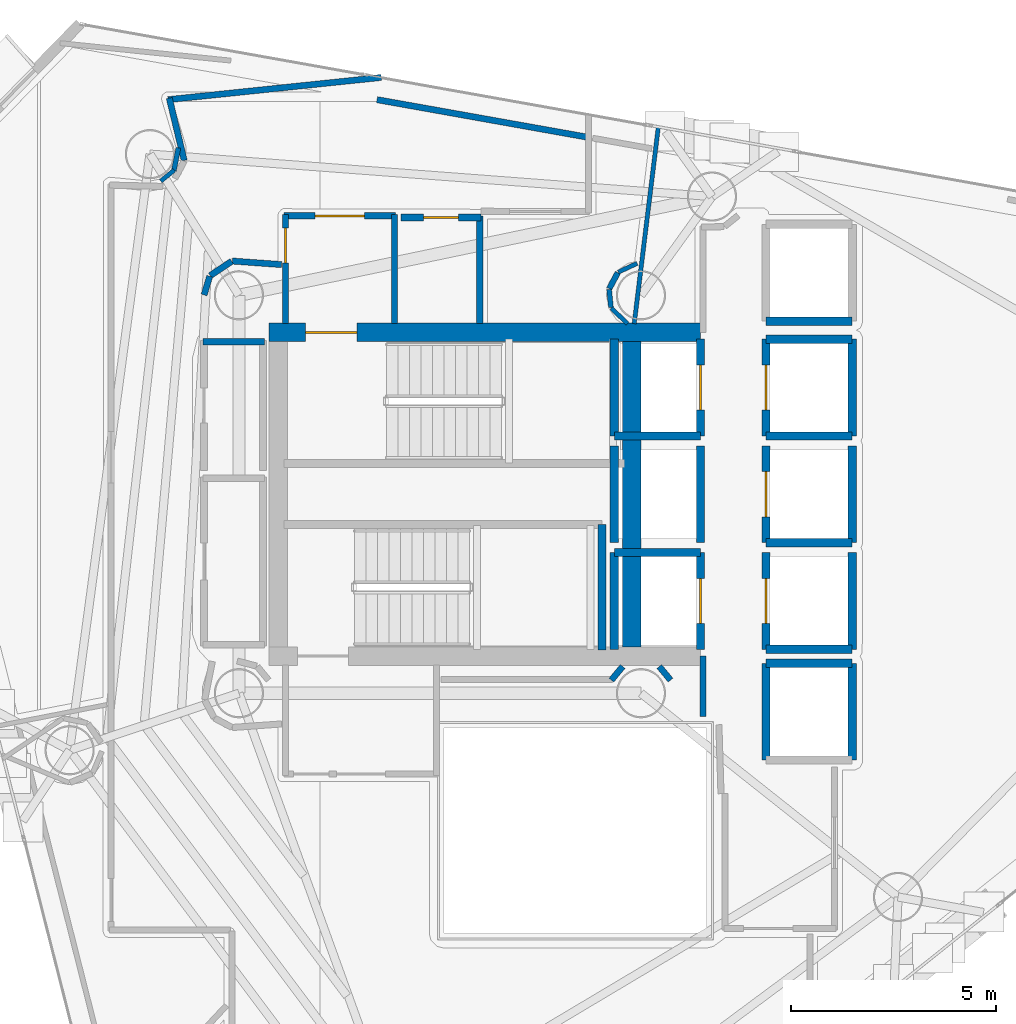
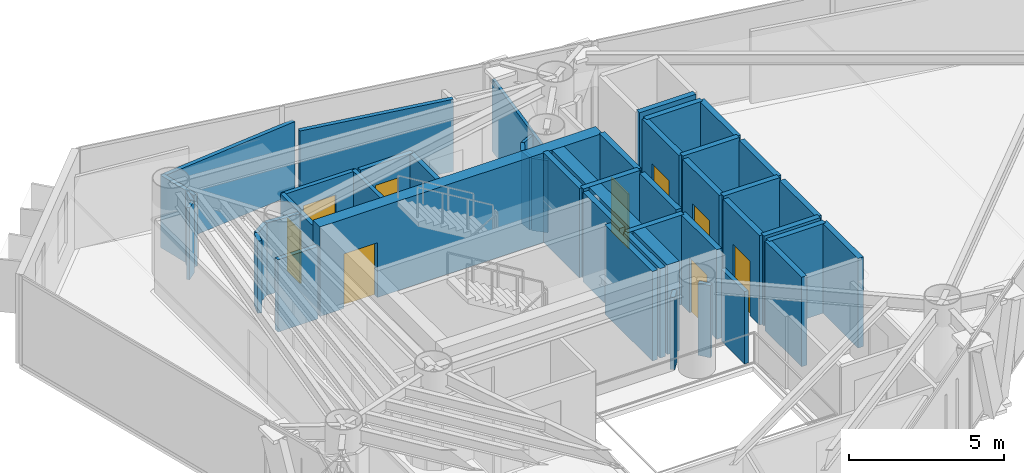
# One storey, part 18 of 22: 47 walls, 9 doors, 9 openings.
"""IFC4 building model written with IfcOpenShell, lengths in metres."""

from ifc_helpers import new_model, si_unit, direction, frame, frame_2d, origin, place, context, subcontext, project, spatial, rectangle, extrude, material, layer, layer_set, type_object, element, fill, save


model = new_model("IFC4")

# Units and contexts
model_context = context("Model", 3, precision=1e-05, world=origin(), true_north=direction((0.0, 1.0)))
body_context = subcontext(model_context, "Body", "Model", "MODEL_VIEW")
ifc_project = project(units=[si_unit("LENGTHUNIT", "METRE"), si_unit("AREAUNIT", "SQUARE_METRE"), si_unit("VOLUMEUNIT", "CUBIC_METRE"), si_unit("PLANEANGLEUNIT", "RADIAN"), si_unit("MASSUNIT", "GRAM", prefix="KILO")], contexts=[model_context])

# Site, building, storey
site_placement = place(None, origin())
site = spatial("IfcSite", under=ifc_project, at=site_placement, CompositionType="ELEMENT")
building_placement = place(site_placement, origin())
building = spatial("IfcBuilding", under=site, at=building_placement, Name="Qianvela Tower", CompositionType="ELEMENT")
storey_placement = place(building_placement, frame((0.0, 0.0, 207.699951171875)))
storey = spatial("IfcBuildingStorey", under=building, at=storey_placement, Name="L53", CompositionType="ELEMENT", Elevation=207.699951171875)

# Wall, opening, door
ifc_material_1 = material(Name="Concrete C50", Category="concrete")
ifc_layer_1 = layer(ifc_material_1, 0.449951171875)
ifc_layer_set_1 = layer_set([ifc_layer_1], Name="Concrete C50")
wall_type_1 = type_object("IfcWallType", Name="WT-CORE-450", PredefinedType="SHEAR", material=ifc_layer_set_1)
wall_1_placement = place(storey_placement, frame((29.330078125, 32.64501953125, 0.0), z_axis=(0.0, 0.0, 1.0), x_axis=(1.0, 0.0, 0.0)))
wall_1 = element("IfcWall", 1, at=wall_1_placement, inside=storey, type_object=wall_type_1, Name="L53 North Core Shear Wall", PredefinedType="SHEAR", context=body_context, shape_type="SweptSolid", body=[
    extrude(rectangle(XDim=10.52001953125, YDim=0.449951171875, at=frame_2d((5.260009765625, 0.0))), origin(), (0.0, 0.0, 1.0), 3.52001953125),
])
opening_1_placement = place(wall_1_placement, frame((0.89501953125, 0.0, 0.0)))
opening_1 = element("IfcOpeningElement", 2, at=opening_1_placement, cuts=wall_1, Name="Opening D-ST1", PredefinedType="OPENING", context=body_context, shape_type="SweptSolid", body=[
    extrude(rectangle(XDim=1.25, YDim=2.14990234375, at=frame_2d((0.625, 1.074951171875))), frame((0.0, 0.23486328125, 0.0), z_axis=(0.0, -1.0, 0.0), x_axis=(1.0, 0.0, 0.0)), (0.0, 0.0, 1.0), 0.469970703125),
])
ifc_material_2 = material(Name="Galvanised Fire Steel Q355B", Category="steel")
door_type_1 = type_object("IfcDoorType", Name="DT-STAIR-FD90", OperationType="NOTDEFINED", PredefinedType="DOOR", material=ifc_material_2)
door_1_placement = place(opening_1_placement, origin())
door_1 = element("IfcDoor", 3, at=door_1_placement, inside=storey, type_object=door_type_1, Name="L53 Stair ST-1 Exit Door", OperationType="SINGLE_SWING_RIGHT", OverallHeight=2.14990234375, OverallWidth=1.25, PredefinedType="DOOR", context=body_context, shape_type="SweptSolid", body=[
    extrude(rectangle(XDim=1.25, YDim=2.14990234375, at=frame_2d((0.625, 1.074951171875))), frame((0.0, 0.02490234375, 0.0), z_axis=(0.0, -1.0, 0.0), x_axis=(1.0, 0.0, 0.0)), (0.0, 0.0, 1.0), 0.050048828125),
])
fill(opening_1, door_1)

# Wall
wall_2_placement = place(storey_placement, frame((38.179931640625, 24.97998046875, 0.0), z_axis=(0.0, 0.0, 1.0), x_axis=(0.0, 1.0, 0.0)))
element("IfcWall", 4, at=wall_2_placement, inside=storey, type_object=wall_type_1, Name="L53 East Spine Core Shear Wall", PredefinedType="SHEAR", context=body_context, shape_type="SweptSolid", body=[
    extrude(rectangle(XDim=7.43994140625, YDim=0.449951171875, at=frame_2d((3.719970703125, 0.0))), origin(), (0.0, 0.0, 1.0), 3.52001953125),
])

# Wall, opening, door
ifc_material_3 = material(Name="Fire-Rated Acoustic Gypsum Board")
ifc_layer_2 = layer(ifc_material_3, 0.14990234375)
ifc_layer_set_2 = layer_set([ifc_layer_2], Name="Fire-Rated Acoustic Gypsum Board")
wall_type_2 = type_object("IfcWallType", Name="WT-CORR-150", PredefinedType="PARTITIONING", material=ifc_layer_set_2)
wall_3_placement = place(storey_placement, frame((29.73095703125, 32.85791015625, 0.0), z_axis=(0.0, 0.0, 1.0), x_axis=(0.0, 1.0, 0.0)))
wall_3 = element("IfcWall", 5, at=wall_3_placement, inside=storey, type_object=wall_type_2, Name="L53 Partition 2", PredefinedType="PARTITIONING", context=body_context, shape_type="SweptSolid", body=[
    extrude(rectangle(XDim=2.662109375, YDim=0.14990234375, at=frame_2d((1.3310546875, 0.0))), origin(), (0.0, 0.0, 1.0), 2.840087890625),
])
opening_2_placement = place(wall_3_placement, frame((1.478271484375, 0.0, 0.0)))
opening_2 = element("IfcOpeningElement", 6, at=opening_2_placement, cuts=wall_3, Name="Opening D-LB2", PredefinedType="OPENING", context=body_context, shape_type="SweptSolid", body=[
    extrude(rectangle(XDim=0.860107421875, YDim=2.050048828125, at=frame_2d((0.43017578125, 1.02490234375))), frame((0.0, 0.0849609375, 0.0), z_axis=(0.0, -1.0, 0.0), x_axis=(1.0, 0.0, 0.0)), (0.0, 0.0, 1.0), 0.169921875),
])
ifc_material_4 = material(Name="Insulated Steel Fire Door Q355B", Category="steel")
door_type_2 = type_object("IfcDoorType", Name="DT-LOBBY-FD90-860", OperationType="NOTDEFINED", PredefinedType="DOOR", material=ifc_material_4)
door_2_placement = place(opening_2_placement, origin())
door_2 = element("IfcDoor", 7, at=door_2_placement, inside=storey, type_object=door_type_2, Name="L53 Door L53 Firefighting Lobby North to L53 Floor Corridor", OperationType="SINGLE_SWING_RIGHT", OverallHeight=2.050048828125, OverallWidth=0.860107421875, PredefinedType="DOOR", context=body_context, shape_type="SweptSolid", body=[
    extrude(rectangle(XDim=0.860107421875, YDim=2.050048828125, at=frame_2d((0.43017578125, 1.02490234375))), frame((0.0, 0.02490234375, 0.0), z_axis=(0.0, -1.0, 0.0), x_axis=(1.0, 0.0, 0.0)), (0.0, 0.0, 1.0), 0.050048828125),
])
fill(opening_2, door_2)

wall_4_placement = place(storey_placement, frame((29.699951171875, 35.489013671875, 0.0), z_axis=(0.0, 0.0, 1.0), x_axis=(1.0, 0.0, 0.0)))
wall_4 = element("IfcWall", 8, at=wall_4_placement, inside=storey, type_object=wall_type_2, Name="L53 Partition 3", PredefinedType="PARTITIONING", context=body_context, shape_type="SweptSolid", body=[
    extrude(rectangle(XDim=2.719970703125, YDim=0.14990234375, at=frame_2d((1.35986328125, 0.0))), origin(), (0.0, 0.0, 1.0), 2.840087890625),
])
opening_3_placement = place(wall_4_placement, frame((0.760009765625, 0.0, 0.0)))
opening_3 = element("IfcOpeningElement", 9, at=opening_3_placement, cuts=wall_4, Name="Opening D-LB1", PredefinedType="OPENING", context=body_context, shape_type="SweptSolid", body=[
    extrude(rectangle(XDim=1.199951171875, YDim=2.14990234375, at=frame_2d((0.60009765625, 1.074951171875))), frame((0.0, 0.0849609375, 0.0), z_axis=(0.0, -1.0, 0.0), x_axis=(1.0, 0.0, 0.0)), (0.0, 0.0, 1.0), 0.169921875),
])
ifc_material_5 = material(Name="Glazed Fire-Rated Steel Frame", Category="steel")
door_type_3 = type_object("IfcDoorType", Name="DT-LOBBY-FD90", OperationType="NOTDEFINED", PredefinedType="DOOR", material=ifc_material_5)
door_3_placement = place(opening_3_placement, origin())
door_3 = element("IfcDoor", 10, at=door_3_placement, inside=storey, type_object=door_type_3, Name="L53 Door L53 Firefighting Lobby North to L53 Floor Corridor", OperationType="SINGLE_SWING_LEFT", OverallHeight=2.14990234375, OverallWidth=1.199951171875, PredefinedType="DOOR", context=body_context, shape_type="SweptSolid", body=[
    extrude(rectangle(XDim=1.199951171875, YDim=2.14990234375, at=frame_2d((0.60009765625, 1.074951171875))), frame((0.0, 0.02490234375, 0.0), z_axis=(0.0, -1.0, 0.0), x_axis=(1.0, 0.0, 0.0)), (0.0, 0.0, 1.0), 0.050048828125),
])
fill(opening_3, door_3)

# Walls
wall_5_placement = place(storey_placement, frame((32.388916015625, 35.52001953125, 0.0), z_axis=(0.0, 0.0, 1.0), x_axis=(0.0, -1.0, 0.0)))
element("IfcWall", 11, at=wall_5_placement, inside=storey, type_object=wall_type_2, Name="L53 Partition 4", PredefinedType="PARTITIONING", context=body_context, shape_type="SweptSolid", body=[
    extrude(rectangle(XDim=2.662109375, YDim=0.14990234375, at=frame_2d((1.3310546875, 0.0))), origin(), (0.0, 0.0, 1.0), 2.840087890625),
])
wall_6_placement = place(storey_placement, frame((39.910888671875, 23.280029296875, 0.0), z_axis=(0.0, 0.0, 1.0), x_axis=(0.0, 1.0, 0.0)))
element("IfcWall", 12, at=wall_6_placement, inside=storey, type_object=wall_type_2, Name="L53 Partition 10", PredefinedType="PARTITIONING", context=body_context, shape_type="SweptSolid", body=[
    extrude(rectangle(XDim=1.47998046875, YDim=0.14990234375, at=frame_2d((0.739990234375, 0.0))), origin(), (0.0, 0.0, 1.0), 2.840087890625),
])
for number, where, z_axis, x_axis, name in (
    (13, (39.12109375, 24.169921875, 0.0), (0.0, 0.0, 1.0), (-0.638008265708, 0.770029514296, 0.0), "L53 Partition 45"),
    (14, (37.953857421875, 24.501708984375, 0.0), (0.0, 0.0, 1.0), (-0.638008265708, -0.770029514296, 0.0), "L53 Partition 48"),
):
    element("IfcWall", number, at=place(storey_placement, frame(where, z_axis=z_axis, x_axis=x_axis)), inside=storey, type_object=wall_type_2, Name=name, PredefinedType="PARTITIONING", context=body_context, shape_type="SweptSolid", body=[
        extrude(rectangle(XDim=0.430908203125, YDim=0.14990234375, at=frame_2d((0.21533203125, 0.0))), origin(), (0.0, 0.0, 1.0), 2.840087890625),
    ])
wall_7_placement = place(storey_placement, frame((27.265380859375, 36.839111328125, 0.0), z_axis=(0.0, 0.0, 1.0), x_axis=(-0.232734022169, 0.972540423286, 0.0)))
element("IfcWall", 15, at=wall_7_placement, inside=storey, type_object=wall_type_2, Name="L53 Partition 50", PredefinedType="PARTITIONING", context=body_context, shape_type="SweptSolid", body=[
    extrude(rectangle(XDim=1.56103515625, YDim=0.14990234375, at=frame_2d((0.780517578125, 0.0))), origin(), (0.0, 0.0, 1.0), 2.840087890625),
])
wall_8_placement = place(storey_placement, frame((26.871826171875, 38.319091796875, 0.0), z_axis=(0.0, 0.0, 1.0), x_axis=(0.994604354625, 0.103740916523, 0.0)))
element("IfcWall", 16, at=wall_8_placement, inside=storey, type_object=wall_type_2, Name="L53 Partition 51", PredefinedType="PARTITIONING", context=body_context, shape_type="SweptSolid", body=[
    extrude(rectangle(XDim=5.224365234375, YDim=0.14990234375, at=frame_2d((2.6123046875, 0.0))), origin(), (0.0, 0.0, 1.0), 2.840087890625),
])
wall_9_placement = place(storey_placement, frame((31.9658203125, 38.319580078125, 0.0), z_axis=(0.0, 0.0, 1.0), x_axis=(0.98445853877, -0.175617155888, 0.0)))
element("IfcWall", 17, at=wall_9_placement, inside=storey, type_object=wall_type_2, Name="L53 Partition 52", PredefinedType="PARTITIONING", context=body_context, shape_type="SweptSolid", body=[
    extrude(rectangle(XDim=5.260498046875, YDim=0.14990234375, at=frame_2d((2.63037109375, 0.0))), origin(), (0.0, 0.0, 1.0), 2.840087890625),
])
wall_10_placement = place(storey_placement, frame((29.64013671875, 34.298583984375, 0.0), z_axis=(0.0, 0.0, 1.0), x_axis=(-0.997392224386, 0.072171675429, 0.0)))
element("IfcWall", 18, at=wall_10_placement, inside=storey, type_object=wall_type_2, Name="L53 Partition 56", PredefinedType="PARTITIONING", context=body_context, shape_type="SweptSolid", body=[
    extrude(rectangle(XDim=1.200927734375, YDim=0.14990234375, at=frame_2d((0.6005859375, 0.0))), origin(), (0.0, 0.0, 1.0), 2.840087890625),
])
wall_11_placement = place(storey_placement, frame((28.4228515625, 34.3798828125, 0.0), z_axis=(0.0, 0.0, 1.0), x_axis=(-0.831571279003, -0.555418047903, 0.0)))
element("IfcWall", 19, at=wall_11_placement, inside=storey, type_object=wall_type_2, Name="L53 Partition 57", PredefinedType="PARTITIONING", context=body_context, shape_type="SweptSolid", body=[
    extrude(rectangle(XDim=0.627685546875, YDim=0.14990234375, at=frame_2d((0.31396484375, 0.0))), origin(), (0.0, 0.0, 1.0), 2.840087890625),
])
wall_12_placement = place(storey_placement, frame((27.888427734375, 34.0146484375, 0.0), z_axis=(0.0, 0.0, 1.0), x_axis=(-0.290263585829, -0.956946733492, 0.0)))
element("IfcWall", 20, at=wall_12_placement, inside=storey, type_object=wall_type_2, Name="L53 Partition 58", PredefinedType="PARTITIONING", context=body_context, shape_type="SweptSolid", body=[
    extrude(rectangle(XDim=0.47607421875, YDim=0.14990234375, at=frame_2d((0.238037109375, 0.0))), origin(), (0.0, 0.0, 1.0), 2.840087890625),
])
ifc_material_6 = material(Name="Lightweight Gypsum Room Partition")
ifc_layer_3 = layer(ifc_material_6, 0.10498046875)
ifc_layer_set_3 = layer_set([ifc_layer_3], Name="Lightweight Gypsum Room Partition")
wall_type_3 = type_object("IfcWallType", Name="WT-PART-105", PredefinedType="PARTITIONING", material=ifc_layer_set_3)
wall_13_placement = place(storey_placement, frame((38.235595703125, 32.85791015625, 0.0), z_axis=(0.0, 0.0, 1.0), x_axis=(0.121669626561, 0.992570653391, 0.0)))
element("IfcWall", 21, at=wall_13_placement, inside=storey, type_object=wall_type_3, Name="L53 Partition 113", PredefinedType="PARTITIONING", context=body_context, shape_type="SweptSolid", body=[
    extrude(rectangle(XDim=4.85400390625, YDim=0.10498046875, at=frame_2d((2.427001953125, 0.0))), origin(), (0.0, 0.0, 1.0), 2.840087890625),
])
wall_14_placement = place(storey_placement, frame((38.30615234375, 34.330078125, 0.0), z_axis=(0.0, 0.0, 1.0), x_axis=(-0.905092592968, -0.425214531918, 0.0)))
element("IfcWall", 22, at=wall_14_placement, inside=storey, type_object=wall_type_3, Name="L53 Partition 122", PredefinedType="PARTITIONING", context=body_context, shape_type="SweptSolid", body=[
    extrude(rectangle(XDim=0.504638671875, YDim=0.10498046875, at=frame_2d((0.25244140625, 0.0))), origin(), (0.0, 0.0, 1.0), 2.840087890625),
])
wall_15_placement = place(storey_placement, frame((37.676513671875, 33.23681640625, 0.0), z_axis=(0.0, 0.0, 1.0), x_axis=(0.72443362256, -0.689344562976, 0.0)))
element("IfcWall", 23, at=wall_15_placement, inside=storey, type_object=wall_type_3, Name="L53 Partition 125", PredefinedType="PARTITIONING", context=body_context, shape_type="SweptSolid", body=[
    extrude(rectangle(XDim=0.549560546875, YDim=0.10498046875, at=frame_2d((0.27490234375, 0.0))), origin(), (0.0, 0.0, 1.0), 2.840087890625),
])
wall_16_placement = place(storey_placement, frame((27.02392578125, 36.60205078125, 0.0), z_axis=(0.0, 0.0, 1.0), x_axis=(-0.775745027902, -0.631046473475, 0.0)))
element("IfcWall", 24, at=wall_16_placement, inside=storey, type_object=wall_type_3, Name="L53 Partition 131", PredefinedType="PARTITIONING", context=body_context, shape_type="SweptSolid", body=[
    extrude(rectangle(XDim=0.42529296875, YDim=0.10498046875, at=frame_2d((0.212646484375, 0.0))), origin(), (0.0, 0.0, 1.0), 2.840087890625),
])
ifc_material_7 = material(Name="Insulated Gypsum Stud Partition")
ifc_layer_4 = layer(ifc_material_7, 0.1201171875)
ifc_layer_set_4 = layer_set([ifc_layer_4], Name="Insulated Gypsum Stud Partition")
wall_type_4 = type_object("IfcWallType", Name="WT-PART-120", PredefinedType="PARTITIONING", material=ifc_layer_set_4)
wall_17_placement = place(storey_placement, frame((37.623779296875, 33.6953125, 0.0), z_axis=(0.0, 0.0, 1.0), x_axis=(0.097915215421, -0.995194760129, 0.0)))
element("IfcWall", 25, at=wall_17_placement, inside=storey, type_object=wall_type_4, Name="L53 Partition 124", PredefinedType="PARTITIONING", context=body_context, shape_type="SweptSolid", body=[
    extrude(rectangle(XDim=0.44140625, YDim=0.1201171875, at=frame_2d((0.220703125, 0.0))), origin(), (0.0, 0.0, 1.0), 2.840087890625),
])
wall_18_placement = place(storey_placement, frame((27.124755859375, 37.146240234375, 0.0), z_axis=(0.0, 0.0, 1.0), x_axis=(-0.195051328877, -0.980793035815, 0.0)))
element("IfcWall", 26, at=wall_18_placement, inside=storey, type_object=wall_type_4, Name="L53 Partition 130", PredefinedType="PARTITIONING", context=body_context, shape_type="SweptSolid", body=[
    extrude(rectangle(XDim=0.5732421875, YDim=0.1201171875, at=frame_2d((0.28662109375, 0.0))), origin(), (0.0, 0.0, 1.0), 2.840087890625),
])

# Wall, opening, door
ifc_material_8 = material(Name="Sanitary Service Chase Partition")
ifc_layer_5 = layer(ifc_material_8, 0.1650390625)
ifc_layer_set_5 = layer_set([ifc_layer_5], Name="Sanitary Service Chase Partition")
wall_type_5 = type_object("IfcWallType", Name="WT-PLUMB-165", PredefinedType="PLUMBINGWALL", material=ifc_layer_set_5)
wall_19_placement = place(storey_placement, frame((32.550048828125, 35.448974609375, 0.0), z_axis=(0.0, 0.0, 1.0), x_axis=(1.0, 0.0, 0.0)))
wall_19 = element("IfcWall", 27, at=wall_19_placement, inside=storey, type_object=wall_type_5, Name="L53 Partition 22", PredefinedType="PLUMBINGWALL", context=body_context, shape_type="SweptSolid", body=[
    extrude(rectangle(XDim=1.949951171875, YDim=0.1650390625, at=frame_2d((0.97509765625, 0.0))), origin(), (0.0, 0.0, 1.0), 2.840087890625),
])
opening_4_placement = place(wall_19_placement, frame((0.544921875, 0.0, 0.0)))
opening_4 = element("IfcOpeningElement", 28, at=opening_4_placement, cuts=wall_19, Name="Opening D-WC1", PredefinedType="OPENING", context=body_context, shape_type="SweptSolid", body=[
    extrude(rectangle(XDim=0.860107421875, YDim=2.050048828125, at=frame_2d((0.43017578125, 1.02490234375))), frame((0.0, 0.092529296875, 0.0), z_axis=(0.0, -1.0, 0.0), x_axis=(1.0, 0.0, 0.0)), (0.0, 0.0, 1.0), 0.18505859375),
])
ifc_material_9 = material(Name="Moisture-Sealed Acoustic Timber Door", Category="wood")
door_type_4 = type_object("IfcDoorType", Name="DT-WC-860", OperationType="NOTDEFINED", PredefinedType="DOOR", material=ifc_material_9)
door_4_placement = place(opening_4_placement, origin())
door_4 = element("IfcDoor", 29, at=door_4_placement, inside=storey, type_object=door_type_4, Name="L53 Door L53 Accessible WC to L53 Floor Corridor", OperationType="SINGLE_SWING_RIGHT", OverallHeight=2.050048828125, OverallWidth=0.860107421875, PredefinedType="DOOR", context=body_context, shape_type="SweptSolid", body=[
    extrude(rectangle(XDim=0.860107421875, YDim=2.050048828125, at=frame_2d((0.43017578125, 1.02490234375))), frame((0.0, 0.02490234375, 0.0), z_axis=(0.0, -1.0, 0.0), x_axis=(1.0, 0.0, 0.0)), (0.0, 0.0, 1.0), 0.050048828125),
])
fill(opening_4, door_4)

# Walls
wall_20_placement = place(storey_placement, frame((34.468994140625, 35.47998046875, 0.0), z_axis=(0.0, 0.0, 1.0), x_axis=(0.0, -1.0, 0.0)))
element("IfcWall", 30, at=wall_20_placement, inside=storey, type_object=wall_type_5, Name="L53 Partition 23", PredefinedType="PLUMBINGWALL", context=body_context, shape_type="SweptSolid", body=[
    extrude(rectangle(XDim=2.6220703125, YDim=0.1650390625, at=frame_2d((1.31103515625, 0.0))), origin(), (0.0, 0.0, 1.0), 2.840087890625),
])
wall_21_placement = place(storey_placement, frame((27.719970703125, 32.4189453125, 0.0), z_axis=(0.0, 0.0, 1.0), x_axis=(1.0, 0.0, 0.0)))
element("IfcWall", 31, at=wall_21_placement, inside=storey, type_object=wall_type_5, Name="L53 Partition 29", PredefinedType="PLUMBINGWALL", context=body_context, shape_type="SweptSolid", body=[
    extrude(rectangle(XDim=1.5, YDim=0.1650390625, at=frame_2d((0.75, 0.0))), origin(), (0.0, 0.0, 1.0), 2.840087890625),
])
ifc_material_10 = material(Name="Acoustic Double Gypsum Stud Partition")
ifc_layer_6 = layer(ifc_material_10, 0.139892578125)
ifc_layer_set_6 = layer_set([ifc_layer_6], Name="Acoustic Double Gypsum Stud Partition")
wall_type_6 = type_object("IfcWallType", Name="WT-ROOM-140", PredefinedType="PARTITIONING", material=ifc_layer_set_6)
wall_22_placement = place(storey_placement, frame((37.835205078125, 34.10205078125, 0.0), z_axis=(0.0, 0.0, 1.0), x_axis=(-0.471392110461, -0.881923737177, 0.0)))
element("IfcWall", 32, at=wall_22_placement, inside=storey, type_object=wall_type_6, Name="L53 Partition 123", PredefinedType="PARTITIONING", context=body_context, shape_type="SweptSolid", body=[
    extrude(rectangle(XDim=0.441162109375, YDim=0.139892578125, at=frame_2d((0.220703125, 0.0))), origin(), (0.0, 0.0, 1.0), 2.840087890625),
])
ifc_material_11 = material(Name="Concrete C50", Category="concrete")
ifc_layer_7 = layer(ifc_material_11, 0.199951171875)
ifc_layer_set_7 = layer_set([ifc_layer_7], Name="Concrete C50")
wall_type_7 = type_object("IfcWallType", Name="WT-SHAFT-200", PredefinedType="SOLIDWALL", material=ifc_layer_set_7)
wall_23_placement = place(storey_placement, frame((37.449951171875, 24.89990234375, 0.0), z_axis=(0.0, 0.0, 1.0), x_axis=(0.0, 1.0, 0.0)))
element("IfcWall", 33, at=wall_23_placement, inside=storey, type_object=wall_type_7, Name="L53 Stair ST-2 East Wall", PredefinedType="SOLIDWALL", context=body_context, shape_type="SweptSolid", body=[
    extrude(rectangle(XDim=3.06005859375, YDim=0.199951171875, at=frame_2d((1.530029296875, 0.0))), origin(), (0.0, 0.0, 1.0), 3.52001953125),
])

# Wall, opening, door
wall_24_placement = place(storey_placement, frame((39.85009765625, 30.1201171875, 0.0), z_axis=(0.0, 0.0, 1.0), x_axis=(0.0, 1.0, 0.0)))
wall_24 = element("IfcWall", 34, at=wall_24_placement, inside=storey, type_object=wall_type_7, Name="L53 Lift FL-1 E Shaft Wall", PredefinedType="SOLIDWALL", context=body_context, shape_type="SweptSolid", body=[
    extrude(rectangle(XDim=2.35986328125, YDim=0.199951171875, at=frame_2d((1.179931640625, 0.0))), origin(), (0.0, 0.0, 1.0), 3.52001953125),
])
opening_5_placement = place(wall_24_placement, frame((0.6298828125, 0.0, 0.0)))
opening_5 = element("IfcOpeningElement", 35, at=opening_5_placement, cuts=wall_24, Name="Opening LD-01", PredefinedType="OPENING", context=body_context, shape_type="SweptSolid", body=[
    extrude(rectangle(XDim=1.10009765625, YDim=2.14990234375, at=frame_2d((0.550048828125, 1.074951171875))), frame((0.0, 0.10986328125, 0.0), z_axis=(0.0, -1.0, 0.0), x_axis=(1.0, 0.0, 0.0)), (0.0, 0.0, 1.0), 0.219970703125),
])
ifc_material_12 = material(Name="Brushed Stainless Steel Lift Landing Door", Category="steel")
door_type_5 = type_object("IfcDoorType", Name="DT-LIFT-SLIDE-1100", OperationType="SLIDING_TO_LEFT", PredefinedType="DOOR", material=ifc_material_12)
door_5_placement = place(opening_5_placement, origin())
door_5 = element("IfcDoor", 36, at=door_5_placement, inside=storey, type_object=door_type_5, Name="L53 Lift FL-1 Sliding Landing Door", OperationType="SLIDING_TO_LEFT", OverallHeight=2.14990234375, OverallWidth=1.10009765625, PredefinedType="DOOR", context=body_context, shape_type="SweptSolid", body=[
    extrude(rectangle(XDim=1.10009765625, YDim=2.14990234375, at=frame_2d((0.550048828125, 1.074951171875))), frame((0.0, 0.02490234375, 0.0), z_axis=(0.0, -1.0, 0.0), x_axis=(1.0, 0.0, 0.0)), (0.0, 0.0, 1.0), 0.050048828125),
])
fill(opening_5, door_5)

# Walls
wall_25_placement = place(storey_placement, frame((37.75, 30.1201171875, 0.0), z_axis=(0.0, 0.0, 1.0), x_axis=(0.0, 1.0, 0.0)))
element("IfcWall", 37, at=wall_25_placement, inside=storey, type_object=wall_type_7, Name="L53 Lift FL-1 W Shaft Wall", PredefinedType="SOLIDWALL", context=body_context, shape_type="SweptSolid", body=[
    extrude(rectangle(XDim=2.35986328125, YDim=0.199951171875, at=frame_2d((1.179931640625, 0.0))), origin(), (0.0, 0.0, 1.0), 3.52001953125),
])
wall_26_placement = place(storey_placement, frame((37.75, 30.1201171875, 0.0), z_axis=(0.0, 0.0, 1.0), x_axis=(1.0, 0.0, 0.0)))
element("IfcWall", 38, at=wall_26_placement, inside=storey, type_object=wall_type_7, Name="L53 Lift FL-1 S Shaft Wall", PredefinedType="SOLIDWALL", context=body_context, shape_type="SweptSolid", body=[
    extrude(rectangle(XDim=2.10009765625, YDim=0.199951171875, at=frame_2d((1.050048828125, 0.0))), origin(), (0.0, 0.0, 1.0), 3.52001953125),
])

# Wall, opening, door
wall_27_placement = place(storey_placement, frame((39.85009765625, 24.919921875, 0.0), z_axis=(0.0, 0.0, 1.0), x_axis=(0.0, 1.0, 0.0)))
wall_27 = element("IfcWall", 39, at=wall_27_placement, inside=storey, type_object=wall_type_7, Name="L53 Lift FL-2 E Shaft Wall", PredefinedType="SOLIDWALL", context=body_context, shape_type="SweptSolid", body=[
    extrude(rectangle(XDim=2.360107421875, YDim=0.199951171875, at=frame_2d((1.18017578125, 0.0))), origin(), (0.0, 0.0, 1.0), 3.52001953125),
])
opening_6_placement = place(wall_27_placement, frame((0.6298828125, 0.0, 0.0)))
opening_6 = element("IfcOpeningElement", 40, at=opening_6_placement, cuts=wall_27, Name="Opening LD-01", PredefinedType="OPENING", context=body_context, shape_type="SweptSolid", body=[
    extrude(rectangle(XDim=1.10009765625, YDim=2.14990234375, at=frame_2d((0.550048828125, 1.074951171875))), frame((0.0, 0.10986328125, 0.0), z_axis=(0.0, -1.0, 0.0), x_axis=(1.0, 0.0, 0.0)), (0.0, 0.0, 1.0), 0.219970703125),
])
door_6_placement = place(opening_6_placement, origin())
door_6 = element("IfcDoor", 41, at=door_6_placement, inside=storey, type_object=door_type_5, Name="L53 Lift FL-2 Sliding Landing Door", OperationType="SLIDING_TO_LEFT", OverallHeight=2.14990234375, OverallWidth=1.10009765625, PredefinedType="DOOR", context=body_context, shape_type="SweptSolid", body=[
    extrude(rectangle(XDim=1.10009765625, YDim=2.14990234375, at=frame_2d((0.550048828125, 1.074951171875))), frame((0.0, 0.02490234375, 0.0), z_axis=(0.0, -1.0, 0.0), x_axis=(1.0, 0.0, 0.0)), (0.0, 0.0, 1.0), 0.050048828125),
])
fill(opening_6, door_6)

# Walls
wall_28_placement = place(storey_placement, frame((37.75, 24.919921875, 0.0), z_axis=(0.0, 0.0, 1.0), x_axis=(0.0, 1.0, 0.0)))
element("IfcWall", 42, at=wall_28_placement, inside=storey, type_object=wall_type_7, Name="L53 Lift FL-2 W Shaft Wall", PredefinedType="SOLIDWALL", context=body_context, shape_type="SweptSolid", body=[
    extrude(rectangle(XDim=2.360107421875, YDim=0.199951171875, at=frame_2d((1.18017578125, 0.0))), origin(), (0.0, 0.0, 1.0), 3.52001953125),
])
wall_29_placement = place(storey_placement, frame((37.75, 27.280029296875, 0.0), z_axis=(0.0, 0.0, 1.0), x_axis=(1.0, 0.0, 0.0)))
element("IfcWall", 43, at=wall_29_placement, inside=storey, type_object=wall_type_7, Name="L53 Lift FL-2 N Shaft Wall", PredefinedType="SOLIDWALL", context=body_context, shape_type="SweptSolid", body=[
    extrude(rectangle(XDim=2.10009765625, YDim=0.199951171875, at=frame_2d((1.050048828125, 0.0))), origin(), (0.0, 0.0, 1.0), 3.52001953125),
])
wall_30_placement = place(storey_placement, frame((43.550048828125, 30.1201171875, 0.0), z_axis=(0.0, 0.0, 1.0), x_axis=(0.0, 1.0, 0.0)))
element("IfcWall", 44, at=wall_30_placement, inside=storey, type_object=wall_type_7, Name="L53 Lift PL-M1 E Shaft Wall", PredefinedType="SOLIDWALL", context=body_context, shape_type="SweptSolid", body=[
    extrude(rectangle(XDim=2.35986328125, YDim=0.199951171875, at=frame_2d((1.179931640625, 0.0))), origin(), (0.0, 0.0, 1.0), 3.52001953125),
])

# Wall, opening, door
wall_31_placement = place(storey_placement, frame((41.449951171875, 30.1201171875, 0.0), z_axis=(0.0, 0.0, 1.0), x_axis=(0.0, 1.0, 0.0)))
wall_31 = element("IfcWall", 45, at=wall_31_placement, inside=storey, type_object=wall_type_7, Name="L53 Lift PL-M1 W Shaft Wall", PredefinedType="SOLIDWALL", context=body_context, shape_type="SweptSolid", body=[
    extrude(rectangle(XDim=2.35986328125, YDim=0.199951171875, at=frame_2d((1.179931640625, 0.0))), origin(), (0.0, 0.0, 1.0), 3.52001953125),
])
opening_7_placement = place(wall_31_placement, frame((0.6298828125, 0.0, 0.0)))
opening_7 = element("IfcOpeningElement", 46, at=opening_7_placement, cuts=wall_31, Name="Opening LD-01", PredefinedType="OPENING", context=body_context, shape_type="SweptSolid", body=[
    extrude(rectangle(XDim=1.10009765625, YDim=2.14990234375, at=frame_2d((0.550048828125, 1.074951171875))), frame((0.0, 0.10986328125, 0.0), z_axis=(0.0, -1.0, 0.0), x_axis=(1.0, 0.0, 0.0)), (0.0, 0.0, 1.0), 0.219970703125),
])
door_7_placement = place(opening_7_placement, origin())
door_7 = element("IfcDoor", 47, at=door_7_placement, inside=storey, type_object=door_type_5, Name="L53 Lift PL-M1 Sliding Landing Door", OperationType="SLIDING_TO_LEFT", OverallHeight=2.14990234375, OverallWidth=1.10009765625, PredefinedType="DOOR", context=body_context, shape_type="SweptSolid", body=[
    extrude(rectangle(XDim=1.10009765625, YDim=2.14990234375, at=frame_2d((0.550048828125, 1.074951171875))), frame((0.0, 0.02490234375, 0.0), z_axis=(0.0, -1.0, 0.0), x_axis=(1.0, 0.0, 0.0)), (0.0, 0.0, 1.0), 0.050048828125),
])
fill(opening_7, door_7)

# Walls
for number, where, z_axis, x_axis, name in (
    (48, (41.449951171875, 32.47998046875, 0.0), (0.0, 0.0, 1.0), (1.0, 0.0, 0.0), "L53 Lift PL-M1 N Shaft Wall"),
    (49, (41.449951171875, 30.1201171875, 0.0), (0.0, 0.0, 1.0), (1.0, 0.0, 0.0), "L53 Lift PL-M1 S Shaft Wall"),
):
    element("IfcWall", number, at=place(storey_placement, frame(where, z_axis=z_axis, x_axis=x_axis)), inside=storey, type_object=wall_type_7, Name=name, PredefinedType="SOLIDWALL", context=body_context, shape_type="SweptSolid", body=[
        extrude(rectangle(XDim=2.10009765625, YDim=0.199951171875, at=frame_2d((1.050048828125, 0.0))), origin(), (0.0, 0.0, 1.0), 3.52001953125),
    ])
wall_32_placement = place(storey_placement, frame((43.550048828125, 27.52001953125, 0.0), z_axis=(0.0, 0.0, 1.0), x_axis=(0.0, 1.0, 0.0)))
element("IfcWall", 50, at=wall_32_placement, inside=storey, type_object=wall_type_7, Name="L53 Lift PL-M2 E Shaft Wall", PredefinedType="SOLIDWALL", context=body_context, shape_type="SweptSolid", body=[
    extrude(rectangle(XDim=2.35986328125, YDim=0.199951171875, at=frame_2d((1.179931640625, 0.0))), origin(), (0.0, 0.0, 1.0), 3.52001953125),
])

# Wall, opening, door
wall_33_placement = place(storey_placement, frame((41.449951171875, 27.52001953125, 0.0), z_axis=(0.0, 0.0, 1.0), x_axis=(0.0, 1.0, 0.0)))
wall_33 = element("IfcWall", 51, at=wall_33_placement, inside=storey, type_object=wall_type_7, Name="L53 Lift PL-M2 W Shaft Wall", PredefinedType="SOLIDWALL", context=body_context, shape_type="SweptSolid", body=[
    extrude(rectangle(XDim=2.35986328125, YDim=0.199951171875, at=frame_2d((1.179931640625, 0.0))), origin(), (0.0, 0.0, 1.0), 3.52001953125),
])
opening_8_placement = place(wall_33_placement, frame((0.6298828125, 0.0, 0.0)))
opening_8 = element("IfcOpeningElement", 52, at=opening_8_placement, cuts=wall_33, Name="Opening LD-01", PredefinedType="OPENING", context=body_context, shape_type="SweptSolid", body=[
    extrude(rectangle(XDim=1.10009765625, YDim=2.14990234375, at=frame_2d((0.550048828125, 1.074951171875))), frame((0.0, 0.10986328125, 0.0), z_axis=(0.0, -1.0, 0.0), x_axis=(1.0, 0.0, 0.0)), (0.0, 0.0, 1.0), 0.219970703125),
])
door_8_placement = place(opening_8_placement, origin())
door_8 = element("IfcDoor", 53, at=door_8_placement, inside=storey, type_object=door_type_5, Name="L53 Lift PL-M2 Sliding Landing Door", OperationType="SLIDING_TO_LEFT", OverallHeight=2.14990234375, OverallWidth=1.10009765625, PredefinedType="DOOR", context=body_context, shape_type="SweptSolid", body=[
    extrude(rectangle(XDim=1.10009765625, YDim=2.14990234375, at=frame_2d((0.550048828125, 1.074951171875))), frame((0.0, 0.02490234375, 0.0), z_axis=(0.0, -1.0, 0.0), x_axis=(1.0, 0.0, 0.0)), (0.0, 0.0, 1.0), 0.050048828125),
])
fill(opening_8, door_8)

# Walls
wall_34_placement = place(storey_placement, frame((41.449951171875, 27.52001953125, 0.0), z_axis=(0.0, 0.0, 1.0), x_axis=(1.0, 0.0, 0.0)))
element("IfcWall", 54, at=wall_34_placement, inside=storey, type_object=wall_type_7, Name="L53 Lift PL-M2 S Shaft Wall", PredefinedType="SOLIDWALL", context=body_context, shape_type="SweptSolid", body=[
    extrude(rectangle(XDim=2.10009765625, YDim=0.199951171875, at=frame_2d((1.050048828125, 0.0))), origin(), (0.0, 0.0, 1.0), 3.52001953125),
])
wall_35_placement = place(storey_placement, frame((43.550048828125, 24.919921875, 0.0), z_axis=(0.0, 0.0, 1.0), x_axis=(0.0, 1.0, 0.0)))
element("IfcWall", 55, at=wall_35_placement, inside=storey, type_object=wall_type_7, Name="L53 Lift PL-M3 E Shaft Wall", PredefinedType="SOLIDWALL", context=body_context, shape_type="SweptSolid", body=[
    extrude(rectangle(XDim=2.360107421875, YDim=0.199951171875, at=frame_2d((1.18017578125, 0.0))), origin(), (0.0, 0.0, 1.0), 3.52001953125),
])

# Wall, opening, door
wall_36_placement = place(storey_placement, frame((41.449951171875, 24.919921875, 0.0), z_axis=(0.0, 0.0, 1.0), x_axis=(0.0, 1.0, 0.0)))
wall_36 = element("IfcWall", 56, at=wall_36_placement, inside=storey, type_object=wall_type_7, Name="L53 Lift PL-M3 W Shaft Wall", PredefinedType="SOLIDWALL", context=body_context, shape_type="SweptSolid", body=[
    extrude(rectangle(XDim=2.360107421875, YDim=0.199951171875, at=frame_2d((1.18017578125, 0.0))), origin(), (0.0, 0.0, 1.0), 3.52001953125),
])
opening_9_placement = place(wall_36_placement, frame((0.6298828125, 0.0, 0.0)))
opening_9 = element("IfcOpeningElement", 57, at=opening_9_placement, cuts=wall_36, Name="Opening LD-01", PredefinedType="OPENING", context=body_context, shape_type="SweptSolid", body=[
    extrude(rectangle(XDim=1.10009765625, YDim=2.14990234375, at=frame_2d((0.550048828125, 1.074951171875))), frame((0.0, 0.10986328125, 0.0), z_axis=(0.0, -1.0, 0.0), x_axis=(1.0, 0.0, 0.0)), (0.0, 0.0, 1.0), 0.219970703125),
])
door_9_placement = place(opening_9_placement, origin())
door_9 = element("IfcDoor", 58, at=door_9_placement, inside=storey, type_object=door_type_5, Name="L53 Lift PL-M3 Sliding Landing Door", OperationType="SLIDING_TO_LEFT", OverallHeight=2.14990234375, OverallWidth=1.10009765625, PredefinedType="DOOR", context=body_context, shape_type="SweptSolid", body=[
    extrude(rectangle(XDim=1.10009765625, YDim=2.14990234375, at=frame_2d((0.550048828125, 1.074951171875))), frame((0.0, 0.02490234375, 0.0), z_axis=(0.0, -1.0, 0.0), x_axis=(1.0, 0.0, 0.0)), (0.0, 0.0, 1.0), 0.050048828125),
])
fill(opening_9, door_9)

# Walls
wall_37_placement = place(storey_placement, frame((41.449951171875, 24.919921875, 0.0), z_axis=(0.0, 0.0, 1.0), x_axis=(1.0, 0.0, 0.0)))
element("IfcWall", 59, at=wall_37_placement, inside=storey, type_object=wall_type_7, Name="L53 Lift PL-M3 S Shaft Wall", PredefinedType="SOLIDWALL", context=body_context, shape_type="SweptSolid", body=[
    extrude(rectangle(XDim=2.10009765625, YDim=0.199951171875, at=frame_2d((1.050048828125, 0.0))), origin(), (0.0, 0.0, 1.0), 3.52001953125),
])
for number, where, z_axis, x_axis, name in (
    (60, (39.85009765625, 27.52001953125, 0.0), (0.0, 0.0, 1.0), (0.0, 1.0, 0.0), "L53 Lift PL-H1 E Shaft Wall"),
    (61, (37.75, 27.52001953125, 0.0), (0.0, 0.0, 1.0), (0.0, 1.0, 0.0), "L53 Lift PL-H1 W Shaft Wall"),
):
    element("IfcWall", number, at=place(storey_placement, frame(where, z_axis=z_axis, x_axis=x_axis)), inside=storey, type_object=wall_type_7, Name=name, PredefinedType="SOLIDWALL", context=body_context, shape_type="SweptSolid", body=[
        extrude(rectangle(XDim=2.35986328125, YDim=0.199951171875, at=frame_2d((1.179931640625, 0.0))), origin(), (0.0, 0.0, 1.0), 3.52001953125),
    ])
for number, where, z_axis, x_axis, name in (
    (62, (43.550048828125, 22.219970703125, 0.0), (0.0, 0.0, 1.0), (0.0, 1.0, 0.0), "L53 Lift PL-H2 E Shaft Wall"),
    (63, (41.449951171875, 22.219970703125, 0.0), (0.0, 0.0, 1.0), (0.0, 1.0, 0.0), "L53 Lift PL-H2 W Shaft Wall"),
):
    element("IfcWall", number, at=place(storey_placement, frame(where, z_axis=z_axis, x_axis=x_axis)), inside=storey, type_object=wall_type_7, Name=name, PredefinedType="SOLIDWALL", context=body_context, shape_type="SweptSolid", body=[
        extrude(rectangle(XDim=2.360107421875, YDim=0.199951171875, at=frame_2d((1.18017578125, 0.0))), origin(), (0.0, 0.0, 1.0), 3.52001953125),
    ])
for number, where, z_axis, x_axis, name in (
    (64, (41.449951171875, 24.580078125, 0.0), (0.0, 0.0, 1.0), (1.0, 0.0, 0.0), "L53 Lift PL-H2 N Shaft Wall"),
    (65, (41.449951171875, 32.919921875, 0.0), (0.0, 0.0, 1.0), (1.0, 0.0, 0.0), "L53 Lift PL-H3 S Shaft Wall"),
):
    element("IfcWall", number, at=place(storey_placement, frame(where, z_axis=z_axis, x_axis=x_axis)), inside=storey, type_object=wall_type_7, Name=name, PredefinedType="SOLIDWALL", context=body_context, shape_type="SweptSolid", body=[
        extrude(rectangle(XDim=2.10009765625, YDim=0.199951171875, at=frame_2d((1.050048828125, 0.0))), origin(), (0.0, 0.0, 1.0), 3.52001953125),
    ])

save(model, "model.ifc")
